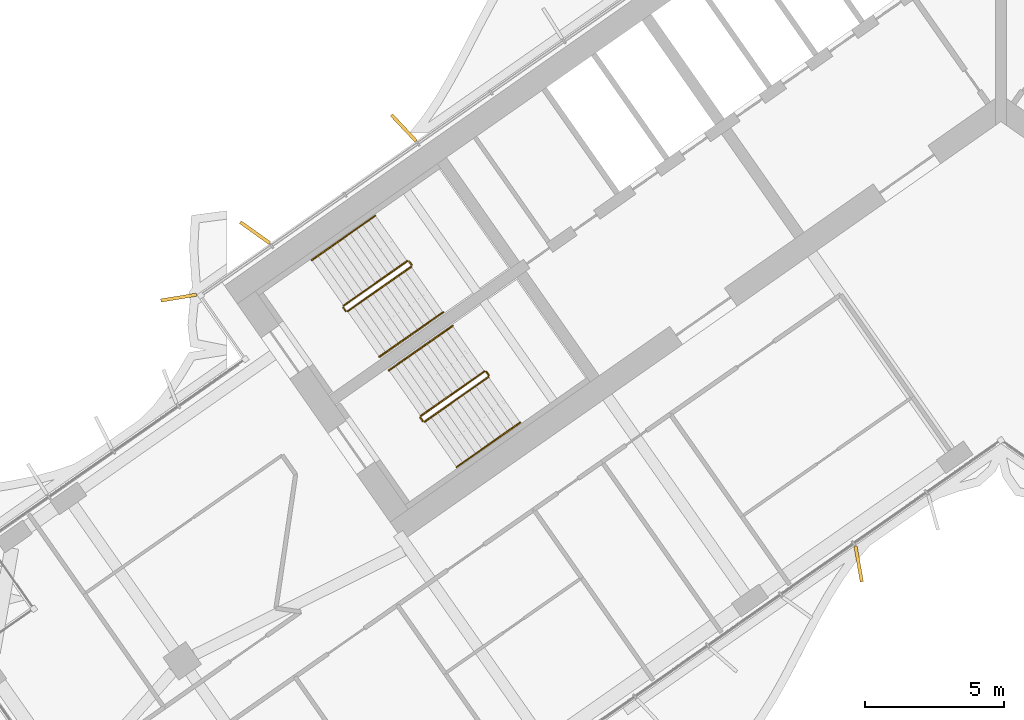
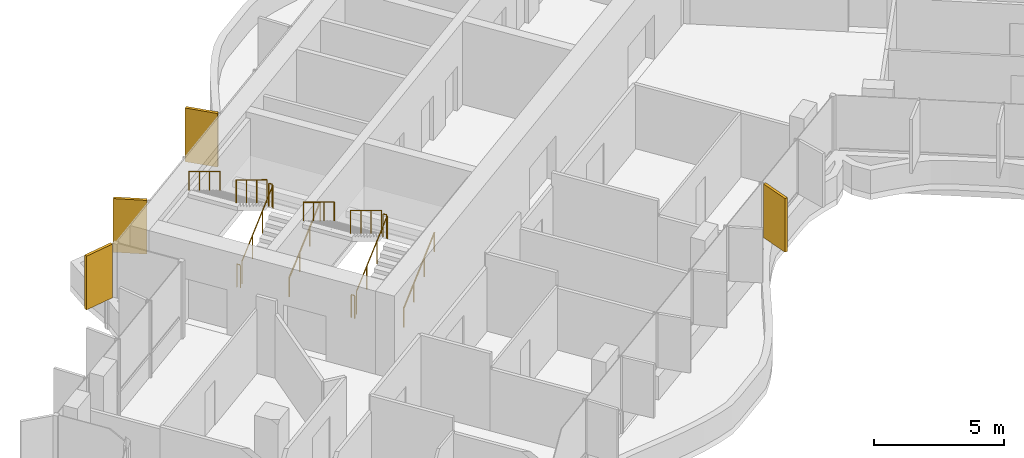
# One storey, part 20 of 23: 12 railings, 4 shading devices.
"""IFC4 building model written with IfcOpenShell, lengths in metres."""

from ifc_helpers import new_model, si_unit, direction, frame, origin, origin_2d, place, context, subcontext, project, spatial, rectangle, circle, extrude, material, layer, layer_set, type_object, element, save


model = new_model("IFC4")

# Units and contexts
model_context = context("Model", 3, precision=1e-05, world=origin(), true_north=direction((0.0, 1.0)))
body_context = subcontext(model_context, "Body", "Model", "MODEL_VIEW")
ifc_project = project(units=[si_unit("LENGTHUNIT", "METRE"), si_unit("AREAUNIT", "SQUARE_METRE"), si_unit("VOLUMEUNIT", "CUBIC_METRE"), si_unit("PLANEANGLEUNIT", "RADIAN"), si_unit("MASSUNIT", "GRAM", prefix="KILO")], contexts=[model_context])

# Site, building, storey
site_placement = place(None, origin())
site = spatial("IfcSite", under=ifc_project, at=site_placement, CompositionType="ELEMENT")
building_placement = place(site_placement, origin())
building = spatial("IfcBuilding", under=site, at=building_placement, Name="Tel Ilan Convention Tower", CompositionType="ELEMENT")
storey_placement = place(building_placement, frame((0.0, 0.0, 194.39990234375)))
storey = spatial("IfcBuildingStorey", under=building, at=storey_placement, Name="L45", CompositionType="ELEMENT", Elevation=194.39990234375)

# Shading devices
ifc_material_1 = material(Name="Aluminium, bronze anodised", Category="aluminium")
ifc_layer = layer(ifc_material_1, 0.1201171875)
ifc_layer_set = layer_set([ifc_layer], Name="FIN BRONZE 1300x120")
shading_device_type = type_object("IfcShadingDeviceType", Name="FIN BRONZE 1300x120", PredefinedType="USERDEFINED", material=ifc_layer_set)
for number, where, z_axis, x_axis, name in (
    (1, (-21.51171875, -1.449462890625, 1.10009765625), (0.0, 0.0, 1.0), (-0.686241637865, 0.727373641577, 0.0), "FIN"),
    (2, (-26.8662109375, -5.2216796875, 1.10009765625), (0.0, 0.0, 1.0), (-0.813552070258, 0.581492071294, 0.0), "FIN"),
    (3, (-29.619140625, -7.562255859375, 1.10009765625), (0.0, 0.0, 1.0), (-0.986445172547, -0.16409119891, 0.0), "FIN"),
    (4, (-5.123291015625, -17.155029296875, 1.10009765625), (0.0, 0.0, 1.0), (0.173648177667, -0.984807753012, 0.0), "FIN"),
):
    element("IfcShadingDevice", number, at=place(storey_placement, frame(where, z_axis=z_axis, x_axis=x_axis)), inside=storey, type_object=shading_device_type, Name=name, ObjectType="FIN", PredefinedType="USERDEFINED", context=body_context, shape_type="SweptSolid", body=[
        extrude(rectangle(XDim=1.300048828125, YDim=0.1201171875, at=origin_2d()), origin(), (0.0, 0.0, 1.0), 2.52001953125),
    ])

# Railings
ifc_material_2 = material(Name="Stainless Steel Grade 316", Category="steel")
railing_type_1 = type_object("IfcRailingType", Name="Stainless Steel Stair Guard 1100 mm", PredefinedType="GUARDRAIL", material=ifc_material_2)
railing_1_placement = place(storey_placement, frame((-23.535400390625, -8.056396484375, 0.177490234375)))
element("IfcRailing", 5, at=railing_1_placement, inside=storey, type_object=railing_type_1, Name="L45 S1 stair guard 1", PredefinedType="GUARDRAIL", context=body_context, shape_type="SweptSolid", body=[
    extrude(circle(Radius=0.02392578125, at=origin_2d()), frame((0.0, 0.0, 1.076171875), z_axis=(0.692098378994, 0.484653031975, 0.534893701956), x_axis=(-0.573608623498, 0.819129505664, 0.0)), (0.0, 0.0, 1.0), 3.314208984375),
    extrude(circle(Radius=0.02099609375, at=origin_2d()), origin(), (0.0, 0.0, 1.0), 1.052001953125),
    extrude(circle(Radius=0.02099609375, at=origin_2d()), frame((0.7646484375, 0.535400390625, 0.5908203125)), (0.0, 0.0, 1.0), 1.052001953125),
    extrude(circle(Radius=0.02099609375, at=origin_2d()), frame((1.529052734375, 1.07080078125, 1.181884765625)), (0.0, 0.0, 1.0), 1.052001953125),
    extrude(circle(Radius=0.02099609375, at=origin_2d()), frame((2.293701171875, 1.606201171875, 1.772705078125)), (0.0, 0.0, 1.0), 1.052001953125),
])
railing_2_placement = place(storey_placement, frame((-21.2294921875, -6.380615234375, 1.9501953125)))
element("IfcRailing", 6, at=railing_2_placement, inside=storey, type_object=railing_type_1, Name="L45 S1 stair guard 2", PredefinedType="GUARDRAIL", context=body_context, shape_type="SweptSolid", body=[
    extrude(circle(Radius=0.02392578125, at=origin_2d()), frame((0.0, 0.0, 1.076171875), z_axis=(-0.573353020881, 0.819308436089, 0.0), x_axis=(-0.819308436089, -0.573353020881, 0.0)), (0.0, 0.0, 1.0), 0.14990234375),
    extrude(circle(Radius=0.02099609375, at=origin_2d()), origin(), (0.0, 0.0, 1.0), 1.052001953125),
    extrude(circle(Radius=0.02099609375, at=origin_2d()), frame((-0.0859375, 0.122802734375, 0.0)), (0.0, 0.0, 1.0), 1.052001953125),
])
railing_3_placement = place(storey_placement, frame((-21.38525390625, -6.24560546875, 2.12744140625)))
element("IfcRailing", 7, at=railing_3_placement, inside=storey, type_object=railing_type_1, Name="L45 S1 stair guard 3", PredefinedType="GUARDRAIL", context=body_context, shape_type="SweptSolid", body=[
    extrude(circle(Radius=0.02392578125, at=origin_2d()), frame((0.0, 0.0, 1.076171875), z_axis=(-0.692084706163, -0.484621375041, 0.534940073605), x_axis=(0.573591086599, -0.819141785879, 0.0)), (0.0, 0.0, 1.0), 3.313720703125),
    extrude(circle(Radius=0.02099609375, at=origin_2d()), origin(), (0.0, 0.0, 1.0), 1.052001953125),
    extrude(circle(Radius=0.02099609375, at=origin_2d()), frame((-0.764404296875, -0.535400390625, 0.5908203125)), (0.0, 0.0, 1.0), 1.052001953125),
    extrude(circle(Radius=0.02099609375, at=origin_2d()), frame((-1.529052734375, -1.070556640625, 1.181884765625)), (0.0, 0.0, 1.0), 1.052001953125),
    extrude(circle(Radius=0.02099609375, at=origin_2d()), frame((-2.29345703125, -1.60595703125, 1.772705078125)), (0.0, 0.0, 1.0), 1.052001953125),
])
railing_4_placement = place(storey_placement, frame((-23.60498046875, -8.0439453125, 0.0)))
element("IfcRailing", 8, at=railing_4_placement, inside=storey, type_object=railing_type_1, Name="L45 S1 stair guard 4", PredefinedType="GUARDRAIL", context=body_context, shape_type="SweptSolid", body=[
    extrude(circle(Radius=0.02392578125, at=origin_2d()), frame((0.0, 0.0, 1.076171875), z_axis=(-0.574444878118, 0.818543268254, 0.0), x_axis=(-0.818543268254, -0.574444878118, 0.0)), (0.0, 0.0, 1.0), 0.150146484375),
    extrude(circle(Radius=0.02099609375, at=origin_2d()), origin(), (0.0, 0.0, 1.0), 1.052001953125),
    extrude(circle(Radius=0.02099609375, at=origin_2d()), frame((-0.086181640625, 0.122802734375, 0.0)), (0.0, 0.0, 1.0), 1.052001953125),
])
railing_5_placement = place(storey_placement, frame((-20.753662109375, -12.029296875, 0.177490234375)))
element("IfcRailing", 9, at=railing_5_placement, inside=storey, type_object=railing_type_1, Name="L45 S2 stair guard 1", PredefinedType="GUARDRAIL", context=body_context, shape_type="SweptSolid", body=[
    extrude(circle(Radius=0.02392578125, at=origin_2d()), frame((0.0, 0.0, 1.076171875), z_axis=(0.692098378994, 0.484653031975, 0.534893701956), x_axis=(-0.573608623498, 0.819129505664, 0.0)), (0.0, 0.0, 1.0), 3.314208984375),
    extrude(circle(Radius=0.02099609375, at=origin_2d()), origin(), (0.0, 0.0, 1.0), 1.052001953125),
    extrude(circle(Radius=0.02099609375, at=origin_2d()), frame((0.7646484375, 0.535400390625, 0.5908203125)), (0.0, 0.0, 1.0), 1.052001953125),
    extrude(circle(Radius=0.02099609375, at=origin_2d()), frame((1.529052734375, 1.07080078125, 1.181884765625)), (0.0, 0.0, 1.0), 1.052001953125),
    extrude(circle(Radius=0.02099609375, at=origin_2d()), frame((2.293701171875, 1.606201171875, 1.772705078125)), (0.0, 0.0, 1.0), 1.052001953125),
])
railing_6_placement = place(storey_placement, frame((-18.44775390625, -10.353515625, 1.9501953125)))
element("IfcRailing", 10, at=railing_6_placement, inside=storey, type_object=railing_type_1, Name="L45 S2 stair guard 2", PredefinedType="GUARDRAIL", context=body_context, shape_type="SweptSolid", body=[
    extrude(circle(Radius=0.02392578125, at=origin_2d()), frame((0.0, 0.0, 1.076171875), z_axis=(-0.573353020881, 0.819308436089, 0.0), x_axis=(-0.819308436089, -0.573353020881, 0.0)), (0.0, 0.0, 1.0), 0.14990234375),
    extrude(circle(Radius=0.02099609375, at=origin_2d()), origin(), (0.0, 0.0, 1.0), 1.052001953125),
    extrude(circle(Radius=0.02099609375, at=origin_2d()), frame((-0.0859375, 0.122802734375, 0.0)), (0.0, 0.0, 1.0), 1.052001953125),
])
railing_7_placement = place(storey_placement, frame((-18.603271484375, -10.218505859375, 2.12744140625)))
element("IfcRailing", 11, at=railing_7_placement, inside=storey, type_object=railing_type_1, Name="L45 S2 stair guard 3", PredefinedType="GUARDRAIL", context=body_context, shape_type="SweptSolid", body=[
    extrude(circle(Radius=0.02392578125, at=origin_2d()), frame((0.0, 0.0, 1.076171875), z_axis=(-0.692123088272, -0.484596665743, 0.534912798717), x_axis=(0.573550118428, -0.819170471667, 0.0)), (0.0, 0.0, 1.0), 3.31396484375),
    extrude(circle(Radius=0.02099609375, at=origin_2d()), origin(), (0.0, 0.0, 1.0), 1.052001953125),
    extrude(circle(Radius=0.02099609375, at=origin_2d()), frame((-0.7646484375, -0.535400390625, 0.5908203125)), (0.0, 0.0, 1.0), 1.052001953125),
    extrude(circle(Radius=0.02099609375, at=origin_2d()), frame((-1.529052734375, -1.070556640625, 1.181884765625)), (0.0, 0.0, 1.0), 1.052001953125),
    extrude(circle(Radius=0.02099609375, at=origin_2d()), frame((-2.293701171875, -1.60595703125, 1.772705078125)), (0.0, 0.0, 1.0), 1.052001953125),
])
railing_8_placement = place(storey_placement, frame((-20.8232421875, -12.016845703125, 0.0)))
element("IfcRailing", 12, at=railing_8_placement, inside=storey, type_object=railing_type_1, Name="L45 S2 stair guard 4", PredefinedType="GUARDRAIL", context=body_context, shape_type="SweptSolid", body=[
    extrude(circle(Radius=0.02392578125, at=origin_2d()), frame((0.0, 0.0, 1.076171875), z_axis=(-0.573353020881, 0.819308436089, 0.0), x_axis=(-0.819308436089, -0.573353020881, 0.0)), (0.0, 0.0, 1.0), 0.14990234375),
    extrude(circle(Radius=0.02099609375, at=origin_2d()), origin(), (0.0, 0.0, 1.0), 1.052001953125),
    extrude(circle(Radius=0.02099609375, at=origin_2d()), frame((-0.0859375, 0.122802734375, 0.0)), (0.0, 0.0, 1.0), 1.052001953125),
])
ifc_material_3 = material(Name="Stainless Steel Grade 316", Category="steel")
railing_type_2 = type_object("IfcRailingType", Name="Stainless Steel Stair Handrail 900 mm", PredefinedType="HANDRAIL", material=ifc_material_3)
railing_9_placement = place(storey_placement, frame((-22.38818359375, -9.694580078125, 0.177490234375)))
element("IfcRailing", 13, at=railing_9_placement, inside=storey, type_object=railing_type_2, Name="L45 S1 stair handrail 1", PredefinedType="HANDRAIL", context=body_context, shape_type="SweptSolid", body=[
    extrude(circle(Radius=0.02392578125, at=origin_2d()), frame((0.0, 0.0, 0.8759765625), z_axis=(0.692084706163, 0.484621375041, 0.534940073605), x_axis=(-0.573591086599, 0.819141785879, 0.0)), (0.0, 0.0, 1.0), 3.313720703125),
    extrude(circle(Radius=0.02099609375, at=origin_2d()), origin(), (0.0, 0.0, 1.0), 0.851806640625),
    extrude(circle(Radius=0.02099609375, at=origin_2d()), frame((0.764404296875, 0.535400390625, 0.5908203125)), (0.0, 0.0, 1.0), 0.851806640625),
    extrude(circle(Radius=0.02099609375, at=origin_2d()), frame((1.529052734375, 1.070556640625, 1.181884765625)), (0.0, 0.0, 1.0), 0.851806640625),
    extrude(circle(Radius=0.02099609375, at=origin_2d()), frame((2.29345703125, 1.60595703125, 1.772705078125)), (0.0, 0.0, 1.0), 0.851806640625),
])
railing_10_placement = place(storey_placement, frame((-22.5322265625, -4.607177734375, 2.12744140625)))
element("IfcRailing", 14, at=railing_10_placement, inside=storey, type_object=railing_type_2, Name="L45 S1 stair handrail 2", PredefinedType="HANDRAIL", context=body_context, shape_type="SweptSolid", body=[
    extrude(circle(Radius=0.02392578125, at=origin_2d()), frame((0.0, 0.0, 0.8759765625), z_axis=(-0.692123088272, -0.484596665743, 0.534912798717), x_axis=(0.573550118428, -0.819170471667, 0.0)), (0.0, 0.0, 1.0), 3.31396484375),
    extrude(circle(Radius=0.02099609375, at=origin_2d()), origin(), (0.0, 0.0, 1.0), 0.851806640625),
    extrude(circle(Radius=0.02099609375, at=origin_2d()), frame((-0.7646484375, -0.535400390625, 0.5908203125)), (0.0, 0.0, 1.0), 0.851806640625),
    extrude(circle(Radius=0.02099609375, at=origin_2d()), frame((-1.529052734375, -1.070556640625, 1.181884765625)), (0.0, 0.0, 1.0), 0.851806640625),
    extrude(circle(Radius=0.02099609375, at=origin_2d()), frame((-2.293701171875, -1.60595703125, 1.772705078125)), (0.0, 0.0, 1.0), 0.851806640625),
])
railing_11_placement = place(storey_placement, frame((-19.6064453125, -13.66748046875, 0.177490234375)))
element("IfcRailing", 15, at=railing_11_placement, inside=storey, type_object=railing_type_2, Name="L45 S2 stair handrail 1", PredefinedType="HANDRAIL", context=body_context, shape_type="SweptSolid", body=[
    extrude(circle(Radius=0.02392578125, at=origin_2d()), frame((0.0, 0.0, 0.8759765625), z_axis=(0.692123088272, 0.484596665743, 0.534912798717), x_axis=(-0.573550118428, 0.819170471667, 0.0)), (0.0, 0.0, 1.0), 3.31396484375),
    extrude(circle(Radius=0.02099609375, at=origin_2d()), origin(), (0.0, 0.0, 1.0), 0.851806640625),
    extrude(circle(Radius=0.02099609375, at=origin_2d()), frame((0.7646484375, 0.535400390625, 0.5908203125)), (0.0, 0.0, 1.0), 0.851806640625),
    extrude(circle(Radius=0.02099609375, at=origin_2d()), frame((1.529052734375, 1.070556640625, 1.181884765625)), (0.0, 0.0, 1.0), 0.851806640625),
    extrude(circle(Radius=0.02099609375, at=origin_2d()), frame((2.293701171875, 1.60595703125, 1.772705078125)), (0.0, 0.0, 1.0), 0.851806640625),
])
railing_12_placement = place(storey_placement, frame((-19.75048828125, -8.580078125, 2.12744140625)))
element("IfcRailing", 16, at=railing_12_placement, inside=storey, type_object=railing_type_2, Name="L45 S2 stair handrail 2", PredefinedType="HANDRAIL", context=body_context, shape_type="SweptSolid", body=[
    extrude(circle(Radius=0.02392578125, at=origin_2d()), frame((0.0, 0.0, 0.8759765625), z_axis=(-0.692123088272, -0.484596665743, 0.534912798717), x_axis=(0.573550118428, -0.819170471667, 0.0)), (0.0, 0.0, 1.0), 3.31396484375),
    extrude(circle(Radius=0.02099609375, at=origin_2d()), origin(), (0.0, 0.0, 1.0), 0.851806640625),
    extrude(circle(Radius=0.02099609375, at=origin_2d()), frame((-0.7646484375, -0.535400390625, 0.5908203125)), (0.0, 0.0, 1.0), 0.851806640625),
    extrude(circle(Radius=0.02099609375, at=origin_2d()), frame((-1.529052734375, -1.070556640625, 1.181884765625)), (0.0, 0.0, 1.0), 0.851806640625),
    extrude(circle(Radius=0.02099609375, at=origin_2d()), frame((-2.293701171875, -1.60595703125, 1.772705078125)), (0.0, 0.0, 1.0), 0.851806640625),
])

save(model, "model.ifc")
